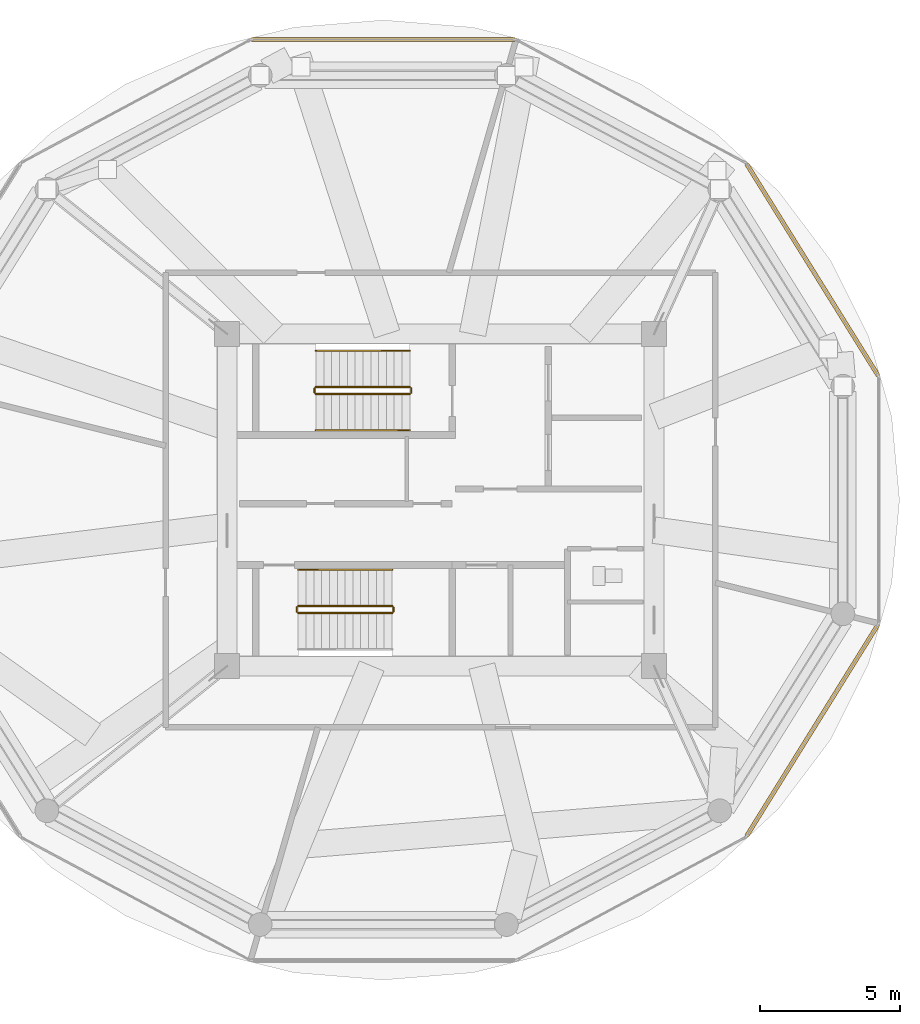
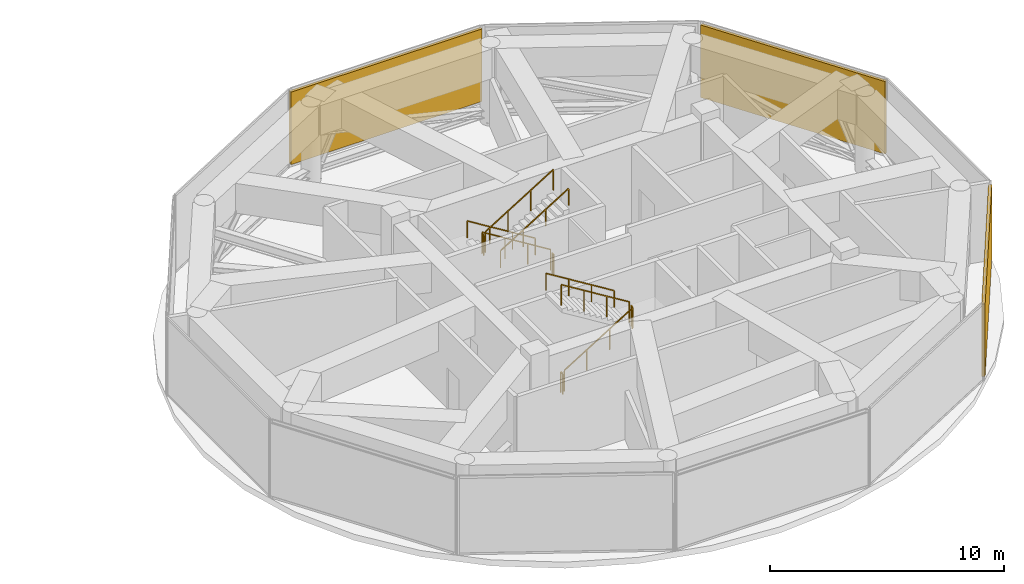
# One storey, part 22 of 23: 11 railings, 3 shading devices.
"""IFC4 building model written with IfcOpenShell, lengths in metres."""

import ifcopenshell
import ifcopenshell.guid

model = None  # the IFC model being written
_history = None  # IfcOwnerHistory: only IFC2X3 demands one
_inside = {}  # id of a spatial element -> (the spatial element, [elements in it])
_under = {}  # id of a project, library or spatial element -> (it, [spatial elements below it])
_declared = {}  # id of a project -> (the project, [libraries it declares])
_typed = {}  # id of a type object -> (the type object, [elements of that type])
_made_of = {}  # id of a material, layer set ... -> (it, [elements and type objects made of it])


def new_model(schema):
    """Start an empty IFC model of exactly this schema.

    Asked for "IFC4X3", IfcOpenShell would pick the latest addendum, in which some entities
    have other attributes; the version numbers below select the first issue.
    IFC2X3 requires an IfcOwnerHistory on every rooted entity: one is made here for all.
    """
    global model, _history
    if schema == "IFC4X3":
        model = ifcopenshell.file(schema_version=(4, 3, 0, 0))
    else:
        model = ifcopenshell.file(schema=schema)
    _inside.clear()
    _under.clear()
    _declared.clear()
    _typed.clear()
    _made_of.clear()
    _history = None
    if model.schema == "IFC2X3":
        org = make("IfcOrganization", Name="unknown")
        user = make(
            "IfcPersonAndOrganization",
            ThePerson=make("IfcPerson", FamilyName="unknown"),
            TheOrganization=org,
        )
        app = make(
            "IfcApplication",
            ApplicationDeveloper=org,
            Version="unknown",
            ApplicationFullName="unknown",
            ApplicationIdentifier="unknown",
        )
        _history = make(
            "IfcOwnerHistory",
            OwningUser=user,
            OwningApplication=app,
            ChangeAction="ADDED",
            CreationDate=0,
        )
    return model


def make(cls, **values):
    """One entity of the class cls with the attributes given. An attribute that is None is left unset."""
    return model.create_entity(
        cls, **{name: value for name, value in values.items() if value is not None}
    )


def rooted(cls, **values):
    """An entity with a GlobalId (a new one), such as an element, a storey or a relation."""
    return make(cls, GlobalId=ifcopenshell.guid.new(), OwnerHistory=_history, **values)


def si_unit(unit_type, name, prefix=None):
    """IfcSIUnit, for example si_unit("LENGTHUNIT", "METRE", prefix="MILLI")."""
    return make("IfcSIUnit", UnitType=unit_type, Prefix=prefix, Name=name)


def assignment(units):
    """IfcUnitAssignment: the units of a project."""
    return None if units is None else make("IfcUnitAssignment", Units=units)


def point(xyz):
    """IfcCartesianPoint."""
    return None if xyz is None else make("IfcCartesianPoint", Coordinates=xyz)


def direction(xyz):
    """IfcDirection."""
    return None if xyz is None else make("IfcDirection", DirectionRatios=xyz)


def frame(location, z_axis=None, x_axis=None):
    """IfcAxis2Placement3D, a coordinate frame: its origin and axes. An axis left out is left unset."""
    return make(
        "IfcAxis2Placement3D",
        Location=point(location),
        Axis=direction(z_axis),
        RefDirection=direction(x_axis),
    )


def frame_2d(location, x_axis=None):
    """IfcAxis2Placement2D, a coordinate frame in the plane: its origin and x axis."""
    return make(
        "IfcAxis2Placement2D", Location=point(location), RefDirection=direction(x_axis)
    )


def origin():
    """The frame at (0, 0, 0) with its axes left unset."""
    return frame((0.0, 0.0, 0.0))


def origin_2d():
    """The frame at (0, 0) in the plane with its x axis left unset."""
    return frame_2d((0.0, 0.0))


def place(relative_to, where):
    """IfcLocalPlacement: puts the frame where relative to a parent placement (None: the world)."""
    return make(
        "IfcLocalPlacement", PlacementRelTo=relative_to, RelativePlacement=where
    )


def context(
    kind, dimensions, precision=None, world=None, true_north=None, identifier=None
):
    """IfcGeometricRepresentationContext, for example the 3D "Model" context."""
    return make(
        "IfcGeometricRepresentationContext",
        ContextIdentifier=identifier,
        ContextType=kind,
        CoordinateSpaceDimension=dimensions,
        Precision=precision,
        WorldCoordinateSystem=world,
        TrueNorth=true_north,
    )


def subcontext(parent, identifier, kind, view, scale=None):
    """IfcGeometricRepresentationSubContext, for example "Body" below "Model"."""
    return make(
        "IfcGeometricRepresentationSubContext",
        ContextIdentifier=identifier,
        ContextType=kind,
        ParentContext=parent,
        TargetScale=scale,
        TargetView=view,
    )


def project(units=None, contexts=None):
    """IfcProject with its units and contexts."""
    return rooted(
        "IfcProject",
        Name="project",
        RepresentationContexts=contexts,
        UnitsInContext=assignment(units),
    )


def spatial(cls, under=None, at=None, **own):
    """A site, building, storey or space (cls), placed at a placement, below another one or the project."""
    s = rooted(cls, ObjectPlacement=at, **own)
    if under is not None:
        _under.setdefault(under.id(), (under, []))[1].append(s)
    return s


def profile(cls, at=None, kind="AREA", **sizes):
    """A parametric profile (cls). Its sizes go by their IFC names, for example OverallWidth=200.0."""
    return make(cls, ProfileType=kind, Position=at, **sizes)


def rectangle(**sizes):
    """IfcRectangleProfileDef."""
    return profile("IfcRectangleProfileDef", **sizes)


def extrude(swept, where, along, depth):
    """IfcExtrudedAreaSolid: the profile swept, set in the frame where, extruded along a direction by depth."""
    return make(
        "IfcExtrudedAreaSolid",
        SweptArea=swept,
        Position=where,
        ExtrudedDirection=direction(along),
        Depth=depth,
    )


def shape(context_of_items, identifier, shape_type, items):
    """IfcShapeRepresentation: the items that make up one representation, for example the "Body"."""
    return make(
        "IfcShapeRepresentation",
        ContextOfItems=context_of_items,
        RepresentationIdentifier=identifier,
        RepresentationType=shape_type,
        Items=items,
    )


def source(mapping_origin, context_of_items, identifier, shape_type, items):
    """IfcRepresentationMap: a shape defined once, which mapped items show again and again."""
    return make(
        "IfcRepresentationMap",
        MappingOrigin=mapping_origin,
        MappedRepresentation=shape(context_of_items, identifier, shape_type, items),
    )


def transform(
    local_origin,
    x_axis=None,
    y_axis=None,
    z_axis=None,
    scale=None,
    scale2=None,
    scale3=None,
    uniform=True,
):
    """IfcCartesianTransformationOperator3D, or its non-uniform kind. x_axis, y_axis, z_axis: its Axis1, 2, 3."""
    if uniform:
        return make(
            "IfcCartesianTransformationOperator3D",
            Axis1=direction(x_axis),
            Axis2=direction(y_axis),
            LocalOrigin=point(local_origin),
            Scale=scale,
            Axis3=direction(z_axis),
        )
    return make(
        "IfcCartesianTransformationOperator3DnonUniform",
        Axis1=direction(x_axis),
        Axis2=direction(y_axis),
        LocalOrigin=point(local_origin),
        Scale=scale,
        Axis3=direction(z_axis),
        Scale2=scale2,
        Scale3=scale3,
    )


def mapped(mapping_source, mapping_target):
    """IfcMappedItem: shows the shape of a source again, moved by a transform."""
    return make(
        "IfcMappedItem", MappingSource=mapping_source, MappingTarget=mapping_target
    )


def material(Name=None, Category=None):
    """IfcMaterial."""
    return make("IfcMaterial", Name=Name, Category=Category)


def made_of(thing, what):
    """Note that an element or type object is made of a material, layer set ...; save() writes the relation."""
    if what is not None:
        _made_of.setdefault(what.id(), (what, []))[1].append(thing)
    return thing


def type_object(cls, material=None, **own):
    """A type object (cls), such as IfcWallType, which elements share."""
    return made_of(rooted(cls, **own), material)


def type_shapes(of_type, sources):
    """Give a type object the sources (RepresentationMaps) that its elements show as mapped items."""
    of_type.RepresentationMaps = sources


def element(
    cls,
    number,
    at=None,
    inside=None,
    cuts=None,
    type_object=None,
    material=None,
    context=None,
    identifier="Body",
    shape_type=None,
    held_by="IfcProductDefinitionShape",
    body=None,
    shapes=None,
    **own,
):
    """One element of the class cls, such as IfcWall. Its Tag is "e" and its number.

    at: its placement. inside: the storey or other place that contains it. cuts: it is an
    opening in that element (IfcRelVoidsElement). A single representation is given by context,
    identifier, shape_type and body (its items); several are given by shapes. held_by: the class
    of the entity that holds the representations. save() writes the other relations.
    """
    e = rooted(cls, Tag="e%d" % number, ObjectPlacement=at, **own)
    if body is not None:
        shapes = [shape(context, identifier, shape_type, body)]
    if shapes is not None:
        e.Representation = make(held_by, Representations=shapes)
    if inside is not None:
        _inside.setdefault(inside.id(), (inside, []))[1].append(e)
    if cuts is not None:
        rooted(
            "IfcRelVoidsElement", RelatingBuildingElement=cuts, RelatedOpeningElement=e
        )
    if type_object is not None:
        _typed.setdefault(type_object.id(), (type_object, []))[1].append(e)
    return made_of(e, material)


def aggregate(whole, parts):
    """IfcRelAggregates: a whole, such as a stair, and the parts it consists of."""
    return rooted("IfcRelAggregates", RelatingObject=whole, RelatedObjects=parts)


def save(model, path):
    """Write the relations noted so far, then the file.

    IfcRelAggregates (storeys below a building ...), IfcRelContainedInSpatialStructure (elements
    in a storey), IfcRelDefinesByType, IfcRelAssociatesMaterial and IfcRelDeclares: one each for
    every whole, place, type object, material and project.
    """
    for whole, parts in _under.values():
        aggregate(whole, parts)
    for where, things in _inside.values():
        rooted(
            "IfcRelContainedInSpatialStructure",
            RelatedElements=things,
            RelatingStructure=where,
        )
    for kind, things in _typed.values():
        rooted("IfcRelDefinesByType", RelatedObjects=things, RelatingType=kind)
    for what, things in _made_of.values():
        rooted("IfcRelAssociatesMaterial", RelatedObjects=things, RelatingMaterial=what)
    for by, libraries in _declared.values():
        rooted("IfcRelDeclares", RelatingContext=by, RelatedDefinitions=libraries)
    model.write(path)


model = new_model("IFC4")

# Units and contexts
model_context = context("Model", 3, precision=1e-05, world=origin(), true_north=direction((0.0, 1.0)))
body_context = subcontext(model_context, "Body", "Model", "MODEL_VIEW")
ifc_project = project(units=[si_unit("LENGTHUNIT", "METRE"), si_unit("AREAUNIT", "SQUARE_METRE"), si_unit("VOLUMEUNIT", "CUBIC_METRE"), si_unit("PLANEANGLEUNIT", "RADIAN"), si_unit("MASSUNIT", "GRAM", prefix="KILO")], contexts=[model_context])

# Site, building, storey
site_placement = place(None, origin())
site = spatial("IfcSite", under=ifc_project, at=site_placement, CompositionType="ELEMENT")
building_placement = place(site_placement, origin())
building = spatial("IfcBuilding", under=site, at=building_placement, Name="Norrkilde Senior Care Towers", CompositionType="ELEMENT")
storey_placement = place(building_placement, frame((0.0, 0.0, 129.800048828125)))
storey = spatial("IfcBuildingStorey", under=building, at=storey_placement, Name="L40", CompositionType="ELEMENT", Elevation=129.800048828125)

# Railings
ifc_material_1 = material(Name="Stainless Steel", Category="steel")
railing_type_1 = type_object("IfcRailingType", Name="Stair and Terrace Guardrail 1100", PredefinedType="GUARDRAIL", material=ifc_material_1)
railing_1_placement = place(storey_placement, frame((26.89990234375, 4.050048828125, 0.173095703125)))
element("IfcRailing", 1, at=railing_1_placement, inside=storey, type_object=railing_type_1, Name="L40 ST-E1 stair guard 1", PredefinedType="GUARDRAIL", context=body_context, shape_type="SweptSolid", body=[
    extrude(rectangle(XDim=0.048095703125, YDim=0.048095703125, at=origin_2d()), frame((0.0, 0.0, 1.076171875), z_axis=(-0.850606129759, 0.0, 0.525803396734), x_axis=(0.0, -1.0, 0.0)), (0.0, 0.0, 1.0), 3.949951171875),
    extrude(rectangle(XDim=0.0419921875, YDim=0.0419921875, at=origin_2d()), origin(), (0.0, 0.0, 1.0), 1.050048828125),
    extrude(rectangle(XDim=0.0419921875, YDim=0.0419921875, at=origin_2d()), frame((-1.119873046875, 0.0, 0.6923828125)), (0.0, 0.0, 1.0), 1.050048828125),
    extrude(rectangle(XDim=0.0419921875, YDim=0.0419921875, at=origin_2d()), frame((-2.239990234375, 0.0, 1.384521484375)), (0.0, 0.0, 1.0), 1.050048828125),
    extrude(rectangle(XDim=0.0419921875, YDim=0.0419921875, at=origin_2d()), frame((-3.35986328125, 0.0, 2.076904296875)), (0.0, 0.0, 1.0), 1.050048828125),
])
railing_2_placement = place(storey_placement, frame((23.489990234375, 4.0, 2.25)))
element("IfcRailing", 2, at=railing_2_placement, inside=storey, type_object=railing_type_1, Name="L40 ST-E1 stair guard 2", PredefinedType="GUARDRAIL", context=body_context, shape_type="SweptSolid", body=[
    extrude(rectangle(XDim=0.048095703125, YDim=0.048095703125, at=origin_2d()), frame((0.0, 0.0, 1.076171875), z_axis=(0.0, -1.0, 0.0), x_axis=(1.0, 0.0, 0.0)), (0.0, 0.0, 1.0), 0.14990234375),
    extrude(rectangle(XDim=0.0419921875, YDim=0.0419921875, at=origin_2d()), origin(), (0.0, 0.0, 1.0), 1.050048828125),
    extrude(rectangle(XDim=0.0419921875, YDim=0.0419921875, at=origin_2d()), frame((0.0, -0.14990234375, 0.0)), (0.0, 0.0, 1.0), 1.050048828125),
])
railing_3_placement = place(storey_placement, frame((23.5400390625, 3.800048828125, 2.423095703125)))
element("IfcRailing", 3, at=railing_3_placement, inside=storey, type_object=railing_type_1, Name="L40 ST-E1 stair guard 3", PredefinedType="GUARDRAIL", context=body_context, shape_type="SweptSolid", body=[
    extrude(rectangle(XDim=0.048095703125, YDim=0.048095703125, at=origin_2d()), frame((0.0, 0.0, 1.076171875), z_axis=(0.850606129759, 0.0, 0.525803396734), x_axis=(0.0, 1.0, 0.0)), (0.0, 0.0, 1.0), 3.949951171875),
    extrude(rectangle(XDim=0.0419921875, YDim=0.0419921875, at=origin_2d()), origin(), (0.0, 0.0, 1.0), 1.050048828125),
    extrude(rectangle(XDim=0.0419921875, YDim=0.0419921875, at=origin_2d()), frame((1.119873046875, 0.0, 0.6923828125)), (0.0, 0.0, 1.0), 1.050048828125),
    extrude(rectangle(XDim=0.0419921875, YDim=0.0419921875, at=origin_2d()), frame((2.239990234375, 0.0, 1.384521484375)), (0.0, 0.0, 1.0), 1.050048828125),
    extrude(rectangle(XDim=0.0419921875, YDim=0.0419921875, at=origin_2d()), frame((3.35986328125, 0.0, 2.076904296875)), (0.0, 0.0, 1.0), 1.050048828125),
])
railing_4_placement = place(storey_placement, frame((26.949951171875, 4.0, 0.0)))
element("IfcRailing", 4, at=railing_4_placement, inside=storey, type_object=railing_type_1, Name="L40 ST-E1 stair guard 4", PredefinedType="GUARDRAIL", context=body_context, shape_type="SweptSolid", body=[
    extrude(rectangle(XDim=0.048095703125, YDim=0.048095703125, at=origin_2d()), frame((0.0, 0.0, 1.076171875), z_axis=(0.0, -1.0, 0.0), x_axis=(1.0, 0.0, 0.0)), (0.0, 0.0, 1.0), 0.14990234375),
    extrude(rectangle(XDim=0.0419921875, YDim=0.0419921875, at=origin_2d()), origin(), (0.0, 0.0, 1.0), 1.050048828125),
    extrude(rectangle(XDim=0.0419921875, YDim=0.0419921875, at=origin_2d()), frame((0.0, -0.14990234375, 0.0)), (0.0, 0.0, 1.0), 1.050048828125),
])
railing_5_placement = place(storey_placement, frame((22.89990234375, -4.050048828125, 0.173095703125)))
element("IfcRailing", 5, at=railing_5_placement, inside=storey, type_object=railing_type_1, Name="L40 ST-E2 stair guard 1", PredefinedType="GUARDRAIL", context=body_context, shape_type="SweptSolid", body=[
    extrude(rectangle(XDim=0.048095703125, YDim=0.048095703125, at=origin_2d()), frame((0.0, 0.0, 1.076171875), z_axis=(0.850623216509, 0.0, 0.525775754039), x_axis=(0.0, 1.0, 0.0)), (0.0, 0.0, 1.0), 3.9501953125),
    extrude(rectangle(XDim=0.0419921875, YDim=0.0419921875, at=origin_2d()), origin(), (0.0, 0.0, 1.0), 1.050048828125),
    extrude(rectangle(XDim=0.0419921875, YDim=0.0419921875, at=origin_2d()), frame((1.1201171875, 0.0, 0.6923828125)), (0.0, 0.0, 1.0), 1.050048828125),
    extrude(rectangle(XDim=0.0419921875, YDim=0.0419921875, at=origin_2d()), frame((2.239990234375, 0.0, 1.384521484375)), (0.0, 0.0, 1.0), 1.050048828125),
    extrude(rectangle(XDim=0.0419921875, YDim=0.0419921875, at=origin_2d()), frame((3.360107421875, 0.0, 2.076904296875)), (0.0, 0.0, 1.0), 1.050048828125),
])
railing_6_placement = place(storey_placement, frame((26.31005859375, -4.0, 2.25)))
element("IfcRailing", 6, at=railing_6_placement, inside=storey, type_object=railing_type_1, Name="L40 ST-E2 stair guard 2", PredefinedType="GUARDRAIL", context=body_context, shape_type="SweptSolid", body=[
    extrude(rectangle(XDim=0.048095703125, YDim=0.048095703125, at=origin_2d()), frame((0.0, 0.0, 1.076171875), z_axis=(0.0, 1.0, 0.0), x_axis=(-1.0, 0.0, 0.0)), (0.0, 0.0, 1.0), 0.14990234375),
    extrude(rectangle(XDim=0.0419921875, YDim=0.0419921875, at=origin_2d()), origin(), (0.0, 0.0, 1.0), 1.050048828125),
    extrude(rectangle(XDim=0.0419921875, YDim=0.0419921875, at=origin_2d()), frame((0.0, 0.14990234375, 0.0)), (0.0, 0.0, 1.0), 1.050048828125),
])
railing_7_placement = place(storey_placement, frame((26.260009765625, -3.800048828125, 2.423095703125)))
element("IfcRailing", 7, at=railing_7_placement, inside=storey, type_object=railing_type_1, Name="L40 ST-E2 stair guard 3", PredefinedType="GUARDRAIL", context=body_context, shape_type="SweptSolid", body=[
    extrude(rectangle(XDim=0.048095703125, YDim=0.048095703125, at=origin_2d()), frame((0.0, 0.0, 1.076171875), z_axis=(-0.850623216509, 0.0, 0.525775754039), x_axis=(0.0, -1.0, 0.0)), (0.0, 0.0, 1.0), 3.9501953125),
    extrude(rectangle(XDim=0.0419921875, YDim=0.0419921875, at=origin_2d()), origin(), (0.0, 0.0, 1.0), 1.050048828125),
    extrude(rectangle(XDim=0.0419921875, YDim=0.0419921875, at=origin_2d()), frame((-1.1201171875, 0.0, 0.6923828125)), (0.0, 0.0, 1.0), 1.050048828125),
    extrude(rectangle(XDim=0.0419921875, YDim=0.0419921875, at=origin_2d()), frame((-2.239990234375, 0.0, 1.384521484375)), (0.0, 0.0, 1.0), 1.050048828125),
    extrude(rectangle(XDim=0.0419921875, YDim=0.0419921875, at=origin_2d()), frame((-3.360107421875, 0.0, 2.076904296875)), (0.0, 0.0, 1.0), 1.050048828125),
])
railing_8_placement = place(storey_placement, frame((22.85009765625, -4.0, 0.0)))
element("IfcRailing", 8, at=railing_8_placement, inside=storey, type_object=railing_type_1, Name="L40 ST-E2 stair guard 4", PredefinedType="GUARDRAIL", context=body_context, shape_type="SweptSolid", body=[
    extrude(rectangle(XDim=0.048095703125, YDim=0.048095703125, at=origin_2d()), frame((0.0, 0.0, 1.076171875), z_axis=(0.0, 1.0, 0.0), x_axis=(-1.0, 0.0, 0.0)), (0.0, 0.0, 1.0), 0.14990234375),
    extrude(rectangle(XDim=0.0419921875, YDim=0.0419921875, at=origin_2d()), origin(), (0.0, 0.0, 1.0), 1.050048828125),
    extrude(rectangle(XDim=0.0419921875, YDim=0.0419921875, at=origin_2d()), frame((0.0, 0.14990234375, 0.0)), (0.0, 0.0, 1.0), 1.050048828125),
])
ifc_material_2 = material(Name="Nordic Ash Timber", Category="wood")
railing_type_2 = type_object("IfcRailingType", Name="Wall and Stair Handrail 900", PredefinedType="HANDRAIL", material=ifc_material_2)
railing_9_placement = place(storey_placement, frame((26.89990234375, 5.35009765625, 0.173095703125)))
element("IfcRailing", 9, at=railing_9_placement, inside=storey, type_object=railing_type_2, Name="L40 ST-E1 stair handrail 1", PredefinedType="HANDRAIL", context=body_context, shape_type="SweptSolid", body=[
    extrude(rectangle(XDim=0.048095703125, YDim=0.048095703125, at=origin_2d()), frame((0.0, 0.0, 0.8759765625), z_axis=(-0.850606129759, 0.0, 0.525803396734), x_axis=(0.0, -1.0, 0.0)), (0.0, 0.0, 1.0), 3.949951171875),
    extrude(rectangle(XDim=0.0419921875, YDim=0.0419921875, at=origin_2d()), origin(), (0.0, 0.0, 1.0), 0.849853515625),
    extrude(rectangle(XDim=0.0419921875, YDim=0.0419921875, at=origin_2d()), frame((-1.119873046875, 0.0, 0.6923828125)), (0.0, 0.0, 1.0), 0.849853515625),
    extrude(rectangle(XDim=0.0419921875, YDim=0.0419921875, at=origin_2d()), frame((-2.239990234375, 0.0, 1.384521484375)), (0.0, 0.0, 1.0), 0.849853515625),
    extrude(rectangle(XDim=0.0419921875, YDim=0.0419921875, at=origin_2d()), frame((-3.35986328125, 0.0, 2.076904296875)), (0.0, 0.0, 1.0), 0.849853515625),
])
railing_10_placement = place(storey_placement, frame((23.5400390625, 2.5, 2.423095703125)))
element("IfcRailing", 10, at=railing_10_placement, inside=storey, type_object=railing_type_2, Name="L40 ST-E1 stair handrail 2", PredefinedType="HANDRAIL", context=body_context, shape_type="SweptSolid", body=[
    extrude(rectangle(XDim=0.048095703125, YDim=0.048095703125, at=origin_2d()), frame((0.0, 0.0, 0.8759765625), z_axis=(0.850606129759, 0.0, 0.525803396734), x_axis=(0.0, 1.0, 0.0)), (0.0, 0.0, 1.0), 3.949951171875),
    extrude(rectangle(XDim=0.0419921875, YDim=0.0419921875, at=origin_2d()), origin(), (0.0, 0.0, 1.0), 0.849853515625),
    extrude(rectangle(XDim=0.0419921875, YDim=0.0419921875, at=origin_2d()), frame((1.119873046875, 0.0, 0.6923828125)), (0.0, 0.0, 1.0), 0.849853515625),
    extrude(rectangle(XDim=0.0419921875, YDim=0.0419921875, at=origin_2d()), frame((2.239990234375, 0.0, 1.384521484375)), (0.0, 0.0, 1.0), 0.849853515625),
    extrude(rectangle(XDim=0.0419921875, YDim=0.0419921875, at=origin_2d()), frame((3.35986328125, 0.0, 2.076904296875)), (0.0, 0.0, 1.0), 0.849853515625),
])
railing_11_placement = place(storey_placement, frame((26.260009765625, -2.5, 2.423095703125)))
element("IfcRailing", 11, at=railing_11_placement, inside=storey, type_object=railing_type_2, Name="L40 ST-E2 stair handrail 2", PredefinedType="HANDRAIL", context=body_context, shape_type="SweptSolid", body=[
    extrude(rectangle(XDim=0.048095703125, YDim=0.048095703125, at=origin_2d()), frame((0.0, 0.0, 0.8759765625), z_axis=(-0.850623216509, 0.0, 0.525775754039), x_axis=(0.0, -1.0, 0.0)), (0.0, 0.0, 1.0), 3.9501953125),
    extrude(rectangle(XDim=0.0419921875, YDim=0.0419921875, at=origin_2d()), origin(), (0.0, 0.0, 1.0), 0.849853515625),
    extrude(rectangle(XDim=0.0419921875, YDim=0.0419921875, at=origin_2d()), frame((-1.1201171875, 0.0, 0.6923828125)), (0.0, 0.0, 1.0), 0.849853515625),
    extrude(rectangle(XDim=0.0419921875, YDim=0.0419921875, at=origin_2d()), frame((-2.239990234375, 0.0, 1.384521484375)), (0.0, 0.0, 1.0), 0.849853515625),
    extrude(rectangle(XDim=0.0419921875, YDim=0.0419921875, at=origin_2d()), frame((-3.360107421875, 0.0, 2.076904296875)), (0.0, 0.0, 1.0), 0.849853515625),
])

# Shading devices
ifc_material_3 = material(Name="Anodised Aluminium", Category="aluminium")
shading_device_type = type_object("IfcShadingDeviceType", Name="Plant and Crown Acoustic Louvre Screen", PredefinedType="JALOUSIE", material=ifc_material_3)
shared_shape_1 = source(origin(), body_context, "Body", "SweptSolid", [
    extrude(rectangle(XDim=8.93408203125, YDim=0.14990234375, at=origin_2d()), origin(), (0.0, 0.0, 1.0), 3.780029296875),
])
for number, where, z_axis, x_axis, name in (
    (12, (41.3251953125, 8.2490234375, 0.14990234375), (0.0, 0.0, 1.0), (0.527733228002, -0.849410171862, 0.0), "L40 Plant Acoustic Louvre Screen E-00"),
    (13, (41.3251953125, -8.2490234375, 0.14990234375), (0.0, 0.0, 1.0), (-0.527733228002, -0.849410171862, 0.0), "L40 Plant Acoustic Louvre Screen E-10"),
):
    element("IfcShadingDevice", number, at=place(storey_placement, frame(where, z_axis=z_axis, x_axis=x_axis)), inside=storey, type_object=shading_device_type, Name=name, PredefinedType="JALOUSIE", context=body_context, shape_type="MappedRepresentation", body=[
        mapped(shared_shape_1, transform((0.0, 0.0, 0.0), x_axis=(1.0, 0.0, 0.0), y_axis=(0.0, 1.0, 0.0), z_axis=(0.0, 0.0, 1.0), scale=1.0)),
    ])
shared_shape_2 = source(origin(), body_context, "Body", "SweptSolid", [
    extrude(rectangle(XDim=9.43408203125, YDim=0.14990234375, at=origin_2d()), origin(), (0.0, 0.0, 1.0), 3.780029296875),
])
type_shapes(shading_device_type, [shared_shape_1, shared_shape_2])
shading_device_placement = place(storey_placement, frame((25.949951171875, 16.498046875, 0.14990234375), z_axis=(0.0, 0.0, 1.0), x_axis=(1.0, 0.0, 0.0)))
element("IfcShadingDevice", 14, at=shading_device_placement, inside=storey, type_object=shading_device_type, Name="L40 Plant Acoustic Louvre Screen E-02", PredefinedType="JALOUSIE", context=body_context, shape_type="MappedRepresentation", body=[
    mapped(shared_shape_2, transform((0.0, 0.0, 0.0), x_axis=(1.0, 0.0, 0.0), y_axis=(0.0, 1.0, 0.0), z_axis=(0.0, 0.0, 1.0), scale=1.0)),
])

save(model, "model.ifc")
